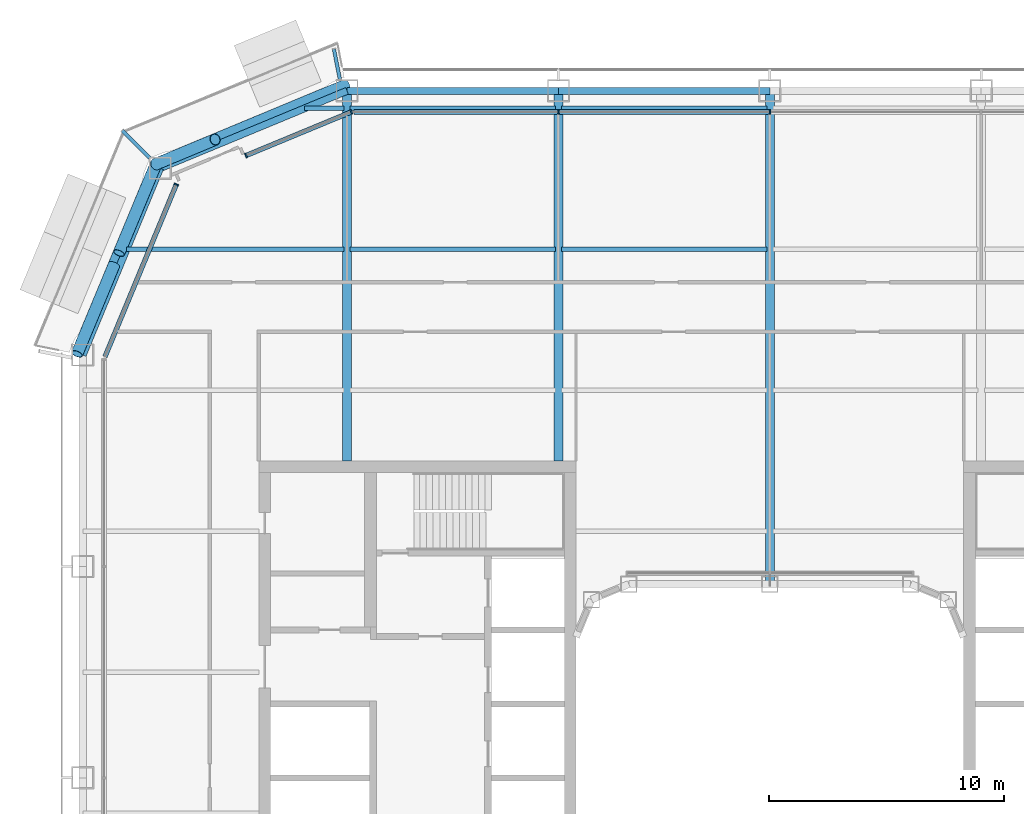
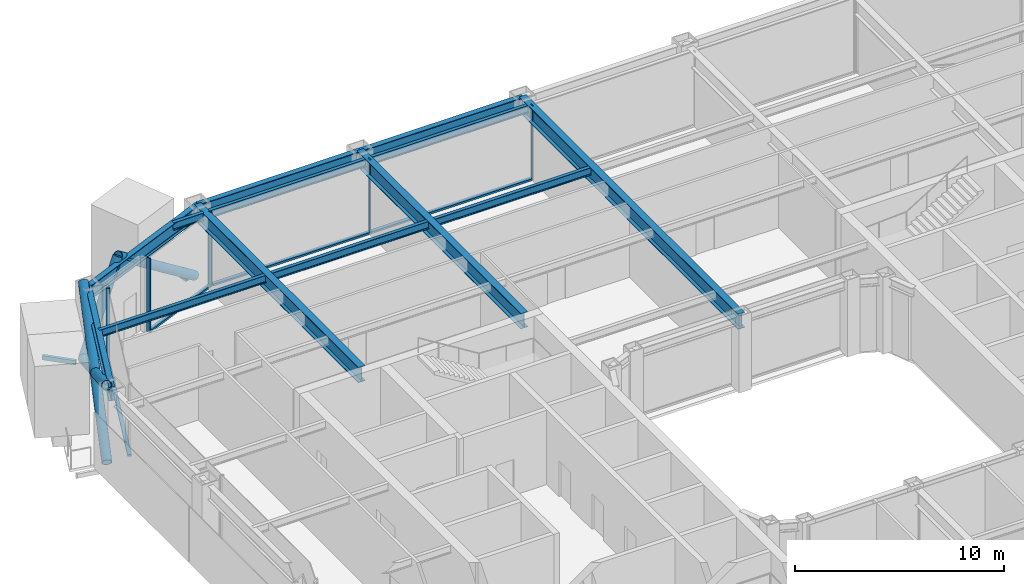
# One storey, part 7 of 23: 15 beams, 14 members, 3 elements without a shape of their own.
"""IFC4 building model written with IfcOpenShell, lengths in metres."""

from ifc_helpers import new_model, si_unit, direction, frame, origin, origin_2d, place, context, subcontext, project, spatial, rectangle, hollow_rectangle, hollow_circle, i_section, extrude, material, layer, layer_set, material_profile, profile_set, type_object, element, aggregate, save


model = new_model("IFC4")

# Units and contexts
model_context = context("Model", 3, precision=1e-05, world=origin(), true_north=direction((0.0, 1.0)))
body_context = subcontext(model_context, "Body", "Model", "MODEL_VIEW")
ifc_project = project(units=[si_unit("LENGTHUNIT", "METRE"), si_unit("AREAUNIT", "SQUARE_METRE"), si_unit("VOLUMEUNIT", "CUBIC_METRE"), si_unit("PLANEANGLEUNIT", "RADIAN"), si_unit("MASSUNIT", "GRAM", prefix="KILO")], contexts=[model_context])

# Site, building, storey
site_placement = place(None, origin())
site = spatial("IfcSite", under=ifc_project, at=site_placement, CompositionType="ELEMENT")
building_placement = place(site_placement, origin())
building = spatial("IfcBuilding", under=site, at=building_placement, Name="Siwar Civic Tower", CompositionType="ELEMENT")
storey_placement = place(building_placement, frame((0.0, 0.0, 136.199951171875)))
storey = spatial("IfcBuildingStorey", under=building, at=storey_placement, Name="L29", CompositionType="ELEMENT", Elevation=136.199951171875)

# Beams
ifc_material_1 = material(Name="Steel S355", Category="steel")
ifc_material_profile_1 = material_profile(ifc_material_1, hollow_rectangle(XDim=0.14990234375, YDim=0.25, WallThickness=0.010009765625, at=origin_2d()), Name="RHS250x150x10")
ifc_profile_set_1 = profile_set([ifc_material_profile_1], Name="Steel S355")
beam_type_1 = type_object("IfcBeamType", Name="ENV-BALCONY ARM", PredefinedType="BEAM", material=ifc_profile_set_1)
beam_1_placement = place(storey_placement, frame((-18.30029296875, 29.73486328125, -0.27490234375), z_axis=(-0.195189223115, 0.980765602568, 0.0), x_axis=(-0.980765602568, -0.195189223115, 0.0)))
element("IfcBeam", 1, at=beam_1_placement, inside=storey, type_object=beam_type_1, Name="Balcony cantilever beam NW 1", PredefinedType="BEAM", context=body_context, shape_type="SweptSolid", body=[
    extrude(hollow_rectangle(XDim=0.14990234375, YDim=0.25, WallThickness=0.010009765625, at=origin_2d()), origin(), (0.0, 0.0, 1.0), 1.317138671875),
])
beam_2_placement = place(storey_placement, frame((-26.39453125, 26.39453125, -0.27490234375), z_axis=(-0.707106781187, 0.707106781187, 0.0), x_axis=(-0.707106781187, -0.707106781187, 0.0)))
element("IfcBeam", 2, at=beam_2_placement, inside=storey, type_object=beam_type_1, Name="Balcony cantilever beam NW 2", PredefinedType="BEAM", context=body_context, shape_type="SweptSolid", body=[
    extrude(hollow_rectangle(XDim=0.14990234375, YDim=0.25, WallThickness=0.010009765625, at=origin_2d()), origin(), (0.0, 0.0, 1.0), 1.6513671875),
])

# Curtain wall, members
ifc_material_2 = material(Name="Aluminium and glass", Category="aluminium")
ifc_layer_1 = layer(ifc_material_2, 0.199951171875)
ifc_layer_set_1 = layer_set([ifc_layer_1], Name="Aluminium and glass")
curtain_wall_type_1 = type_object("IfcCurtainWallType", Name="ENV-CW-B", PredefinedType="NOTDEFINED", material=ifc_layer_set_1)
curtain_wall_1_placement = place(storey_placement, origin())
curtain_wall_1 = element("IfcCurtainWall", 3, at=curtain_wall_1_placement, inside=storey, type_object=curtain_wall_type_1, Name="Curtain wall B N", PredefinedType="NOTDEFINED")
ifc_material_3 = material(Name="Aluminium 6063-T6", Category="aluminium")
ifc_material_profile_2 = material_profile(ifc_material_3, rectangle(XDim=0.199951171875, YDim=0.06494140625, at=origin_2d()), Name="AL 200x65")
ifc_profile_set_2 = profile_set([ifc_material_profile_2], Name="Aluminium 6063-T6")
member_type_1 = type_object("IfcMemberType", Name="ENV-MULLION-B", PredefinedType="MULLION", material=ifc_profile_set_2)
member_1_placement = place(storey_placement, frame((0.0, 28.35009765625, 0.0), z_axis=(0.0, 0.0, 1.0), x_axis=(0.0, -1.0, 0.0)))
member_1 = element("IfcMember", 4, at=member_1_placement, type_object=member_type_1, Name="Mullion B N 3", PredefinedType="MULLION", context=body_context, shape_type="SweptSolid", body=[
    extrude(rectangle(XDim=0.199951171875, YDim=0.06494140625, at=origin_2d()), origin(), (0.0, 0.0, 1.0), 4.35009765625),
])
member_2_placement = place(storey_placement, frame((-9.0, 28.35009765625, 0.0), z_axis=(0.0, 0.0, 1.0), x_axis=(0.0, -1.0, 0.0)))
member_2 = element("IfcMember", 5, at=member_2_placement, type_object=member_type_1, Name="Mullion B N 4", PredefinedType="MULLION", context=body_context, shape_type="SweptSolid", body=[
    extrude(rectangle(XDim=0.199951171875, YDim=0.06494140625, at=origin_2d()), origin(), (0.0, 0.0, 1.0), 4.35009765625),
])

ifc_material_4 = material(Name="Aluminium clad insulated panel", Category="aluminium")
ifc_layer_2 = layer(ifc_material_4, 0.199951171875)
ifc_layer_set_2 = layer_set([ifc_layer_2], Name="Aluminium clad insulated panel")
curtain_wall_type_2 = type_object("IfcCurtainWallType", Name="ENV-CW-BX", PredefinedType="NOTDEFINED", material=ifc_layer_set_2)
curtain_wall_2_placement = place(storey_placement, origin())
curtain_wall_2 = element("IfcCurtainWall", 6, at=curtain_wall_2_placement, inside=storey, type_object=curtain_wall_type_2, Name="Curtain wall B NW1", PredefinedType="NOTDEFINED")
member_3_placement = place(storey_placement, frame((-17.821044921875, 28.35009765625, 0.0), z_axis=(0.0, 0.0, 1.0), x_axis=(0.382683432365, -0.923879532511, 0.0)))
member_3 = element("IfcMember", 7, at=member_3_placement, type_object=member_type_1, Name="Mullion B NW1 1", PredefinedType="MULLION", context=body_context, shape_type="SweptSolid", body=[
    extrude(rectangle(XDim=0.199951171875, YDim=0.06494140625, at=origin_2d()), origin(), (0.0, 0.0, 1.0), 4.35009765625),
])
member_4_placement = place(storey_placement, frame((-22.299072265625, 26.4951171875, 0.0), z_axis=(0.0, 0.0, 1.0), x_axis=(0.382683432365, -0.923879532511, 0.0)))
member_4 = element("IfcMember", 8, at=member_4_placement, type_object=member_type_1, Name="Mullion B NW1 2", PredefinedType="MULLION", context=body_context, shape_type="SweptSolid", body=[
    extrude(rectangle(XDim=0.199951171875, YDim=0.06494140625, at=origin_2d()), origin(), (0.0, 0.0, 1.0), 4.35009765625),
])

# Curtain wall, member
curtain_wall_3_placement = place(storey_placement, origin())
curtain_wall_3 = element("IfcCurtainWall", 9, at=curtain_wall_3_placement, inside=storey, type_object=curtain_wall_type_2, Name="Curtain wall B NW2", PredefinedType="NOTDEFINED")
member_5_placement = place(storey_placement, frame((-25.26611328125, 25.26611328125, 0.0), z_axis=(0.0, 0.0, 1.0), x_axis=(0.923879532511, -0.382683432365, 0.0)))
member_5 = element("IfcMember", 10, at=member_5_placement, type_object=member_type_1, Name="Mullion B NW2 1", PredefinedType="MULLION", context=body_context, shape_type="SweptSolid", body=[
    extrude(rectangle(XDim=0.199951171875, YDim=0.06494140625, at=origin_2d()), origin(), (0.0, 0.0, 1.0), 4.35009765625),
])

# Member
ifc_material_5 = material(Name="Aluminium 6063-T6", Category="aluminium")
ifc_material_profile_3 = material_profile(ifc_material_5, rectangle(XDim=0.199951171875, YDim=0.110107421875, at=origin_2d()), Name="AL 200x110")
ifc_profile_set_3 = profile_set([ifc_material_profile_3], Name="Aluminium 6063-T6")
member_type_2 = type_object("IfcMemberType", Name="ENV-TRANSOM-B", PredefinedType="USERDEFINED", material=ifc_profile_set_3)
member_6_placement = place(storey_placement, frame((-0.032470703125, 28.35009765625, 0.054931640625), z_axis=(-1.0, 0.0, 0.0), x_axis=(0.0, -1.0, 0.0)))
member_6 = element("IfcMember", 11, at=member_6_placement, type_object=member_type_2, Name="Transom B N 3", ObjectType="TRANSOM", PredefinedType="USERDEFINED", context=body_context, shape_type="SweptSolid", body=[
    extrude(rectangle(XDim=0.199951171875, YDim=0.110107421875, at=origin_2d()), origin(), (0.0, 0.0, 1.0), 8.93505859375),
])

member_7_placement = place(storey_placement, frame((-9.032470703125, 28.35009765625, 0.054931640625), z_axis=(-1.0, 0.0, 0.0), x_axis=(0.0, -1.0, 0.0)))
member_7 = element("IfcMember", 12, at=member_7_placement, type_object=member_type_2, Name="Transom B N 4", ObjectType="TRANSOM", PredefinedType="USERDEFINED", context=body_context, shape_type="SweptSolid", body=[
    extrude(rectangle(XDim=0.199951171875, YDim=0.110107421875, at=origin_2d()), origin(), (0.0, 0.0, 1.0), 8.6748046875),
])

aggregate(curtain_wall_1, [member_1, member_2, member_6, member_7])

member_8_placement = place(storey_placement, frame((-17.85107421875, 28.337646484375, 0.054931640625), z_axis=(-0.923872467912, -0.382700487371, 0.0), x_axis=(0.382700487371, -0.923872467912, 0.0)))
member_8 = element("IfcMember", 13, at=member_8_placement, type_object=member_type_2, Name="Transom B NW1 1", ObjectType="TRANSOM", PredefinedType="USERDEFINED", context=body_context, shape_type="SweptSolid", body=[
    extrude(rectangle(XDim=0.199951171875, YDim=0.110107421875, at=origin_2d()), origin(), (0.0, 0.0, 1.0), 4.781982421875),
])

aggregate(curtain_wall_2, [member_3, member_4, member_8])

member_9_placement = place(storey_placement, frame((-25.278564453125, 25.236083984375, 0.054931640625), z_axis=(-0.382673358825, -0.923883705044, 0.0), x_axis=(0.923883705044, -0.382673358825, 0.0)))
member_9 = element("IfcMember", 14, at=member_9_placement, type_object=member_type_2, Name="Transom B NW2 1", ObjectType="TRANSOM", PredefinedType="USERDEFINED", context=body_context, shape_type="SweptSolid", body=[
    extrude(rectangle(XDim=0.199951171875, YDim=0.110107421875, at=origin_2d()), origin(), (0.0, 0.0, 1.0), 7.912353515625),
])

aggregate(curtain_wall_3, [member_5, member_9])

# Members
ifc_material_6 = material(Name="Steel S355", Category="steel")
ifc_material_profile_4 = material_profile(ifc_material_6, hollow_circle(Radius=0.25390625, WallThickness=0.02490234375, at=origin_2d()), Name="CHS508x25")
ifc_profile_set_4 = profile_set([ifc_material_profile_4], Name="Steel S355")
member_type_3 = type_object("IfcMemberType", Name="STR-BR-CHS508x25", PredefinedType="BRACE", material=ifc_profile_set_4)
member_10_placement = place(storey_placement, frame((-29.4951171875, 18.048828125, 0.0), z_axis=(0.341671493852, 0.821142553604, 0.457149315816), x_axis=(-0.923264922524, 0.384163874976, 0.0)))
element("IfcMember", 15, at=member_10_placement, inside=storey, type_object=member_type_3, Name="L29/brc/BNW1-8-0-1", PredefinedType="BRACE", context=body_context, shape_type="SweptSolid", body=[
    extrude(hollow_circle(Radius=0.25390625, WallThickness=0.02490234375, at=origin_2d()), origin(), (0.0, 0.0, 1.0), 9.843505859375),
])
member_11_placement = place(storey_placement, frame((-26.1318359375, 26.1318359375, 0.0), z_axis=(-0.341662474736, -0.821143275065, 0.457154760636), x_axis=(0.923268638995, -0.384154943021, 0.0)))
element("IfcMember", 16, at=member_11_placement, inside=storey, type_object=member_type_3, Name="L29/brc/BNW1-8-0-2", PredefinedType="BRACE", context=body_context, shape_type="SweptSolid", body=[
    extrude(hollow_circle(Radius=0.25390625, WallThickness=0.02490234375, at=origin_2d()), origin(), (0.0, 0.0, 1.0), 4.61474609375),
])
member_12_placement = place(storey_placement, frame((-27.91845703125, 21.837890625, 2.390625), z_axis=(-0.34168558233, -0.821145902409, 0.457132770413), x_axis=(0.923259859753, -0.384176042158, 0.0)))
element("IfcMember", 17, at=member_12_placement, inside=storey, type_object=member_type_3, Name="L29/brc/BNW1-8-0-3", PredefinedType="BRACE", context=body_context, shape_type="SweptSolid", body=[
    extrude(hollow_circle(Radius=0.25390625, WallThickness=0.02490234375, at=origin_2d()), origin(), (0.0, 0.0, 1.0), 4.6142578125),
])
member_13_placement = place(storey_placement, frame((-18.048828125, 29.4951171875, 0.0), z_axis=(-0.739973158344, -0.307903068035, 0.598026275029), x_axis=(0.384169803352, -0.923262455747, 0.0)))
element("IfcMember", 18, at=member_13_placement, inside=storey, type_object=member_type_3, Name="L29/brc/BNW1-8-0-0", PredefinedType="BRACE", context=body_context, shape_type="SweptSolid", body=[
    extrude(hollow_circle(Radius=0.25390625, WallThickness=0.02490234375, at=origin_2d()), origin(), (0.0, 0.0, 1.0), 7.524658203125),
])
member_14_placement = place(storey_placement, frame((-26.1318359375, 26.1318359375, 0.0), z_axis=(0.478099094869, 0.198925611165, 0.855482236349), x_axis=(-0.384150749045, 0.92327038402, 0.0)))
element("IfcMember", 19, at=member_14_placement, inside=storey, type_object=member_type_3, Name="L29/brc/BNW1-8-0-6", PredefinedType="BRACE", context=body_context, shape_type="SweptSolid", body=[
    extrude(hollow_circle(Radius=0.25390625, WallThickness=0.02490234375, at=origin_2d()), origin(), (0.0, 0.0, 1.0), 5.26025390625),
])

# Beams
ifc_material_7 = material(Name="Steel S355", Category="steel")
ifc_material_profile_5 = material_profile(ifc_material_7, i_section(OverallWidth=0.18994140625, OverallDepth=0.449951171875, WebThickness=0.009521484375, FlangeThickness=0.0146484375, FilletRadius=0.02099609375, at=origin_2d()), Name="IPE450")
ifc_profile_set_5 = profile_set([ifc_material_profile_5], Name="Steel S355")
beam_type_2 = type_object("IfcBeamType", Name="STR-FB-IPE450", PredefinedType="JOIST", material=ifc_profile_set_5)
beam_3_placement = place(storey_placement, frame((-27.385986328125, 22.5, 4.125), z_axis=(1.0, 0.0, 0.0), x_axis=(0.0, 1.0, 0.0)))
element("IfcBeam", 20, at=beam_3_placement, inside=storey, type_object=beam_type_2, Name="L29/bm/F037", PredefinedType="JOIST", context=body_context, shape_type="SweptSolid", body=[
    extrude(i_section(OverallWidth=0.18994140625, OverallDepth=0.449951171875, WebThickness=0.009521484375, FlangeThickness=0.0146484375, FilletRadius=0.02099609375, at=origin_2d()), origin(), (0.0, 0.0, 1.0), 9.256103515625),
])
for number, where, z_axis, x_axis, name in (
    (21, (-17.8701171875, 22.5, 4.125), (1.0, 0.0, 0.0), (0.0, 1.0, 0.0), "L29/bm/F038"),
    (22, (-8.8701171875, 22.5, 4.125), (1.0, 0.0, 0.0), (0.0, 1.0, 0.0), "L29/bm/F039"),
):
    element("IfcBeam", number, at=place(storey_placement, frame(where, z_axis=z_axis, x_axis=x_axis)), inside=storey, type_object=beam_type_2, Name=name, PredefinedType="JOIST", context=body_context, shape_type="SweptSolid", body=[
        extrude(i_section(OverallWidth=0.18994140625, OverallDepth=0.449951171875, WebThickness=0.009521484375, FlangeThickness=0.0146484375, FilletRadius=0.02099609375, at=origin_2d()), origin(), (0.0, 0.0, 1.0), 8.740234375),
    ])
beam_4_placement = place(storey_placement, frame((-19.810546875, 28.5, 4.125), z_axis=(1.0, 0.0, 0.0), x_axis=(0.0, 1.0, 0.0)))
element("IfcBeam", 23, at=beam_4_placement, inside=storey, type_object=beam_type_2, Name="L29/bm/F043", PredefinedType="JOIST", context=body_context, shape_type="SweptSolid", body=[
    extrude(i_section(OverallWidth=0.18994140625, OverallDepth=0.449951171875, WebThickness=0.009521484375, FlangeThickness=0.0146484375, FilletRadius=0.02099609375, at=origin_2d()), origin(), (0.0, 0.0, 1.0), 1.6806640625),
])
for number, where, z_axis, x_axis, name in (
    (24, (-17.8701171875, 28.5, 4.125), (1.0, 0.0, 0.0), (0.0, 1.0, 0.0), "L29/bm/F044"),
    (25, (-8.8701171875, 28.5, 4.125), (1.0, 0.0, 0.0), (0.0, 1.0, 0.0), "L29/bm/F045"),
):
    element("IfcBeam", number, at=place(storey_placement, frame(where, z_axis=z_axis, x_axis=x_axis)), inside=storey, type_object=beam_type_2, Name=name, PredefinedType="JOIST", context=body_context, shape_type="SweptSolid", body=[
        extrude(i_section(OverallWidth=0.18994140625, OverallDepth=0.449951171875, WebThickness=0.009521484375, FlangeThickness=0.0146484375, FilletRadius=0.02099609375, at=origin_2d()), origin(), (0.0, 0.0, 1.0), 8.740234375),
    ])
ifc_material_8 = material(Name="Steel S355", Category="steel")
ifc_material_profile_6 = material_profile(ifc_material_8, i_section(OverallWidth=0.3798828125, OverallDepth=0.89990234375, WebThickness=0.01611328125, FlangeThickness=0.035888671875, at=origin_2d()), Name="PG900x380x16x36")
ifc_profile_set_6 = profile_set([ifc_material_profile_6], Name="Steel S355")
beam_type_3 = type_object("IfcBeamType", Name="STR-PG-PG900x380x16x36", PredefinedType="BEAM", material=ifc_profile_set_6)
for number, where, z_axis, x_axis, name in (
    (26, (-18.0, 13.5, 3.900146484375), (0.0, 1.0, 0.0), (-1.0, 0.0, 0.0), "L29/bm/G02"),
    (27, (-9.0, 13.5, 3.900146484375), (0.0, 1.0, 0.0), (-1.0, 0.0, 0.0), "L29/bm/G04"),
):
    element("IfcBeam", number, at=place(storey_placement, frame(where, z_axis=z_axis, x_axis=x_axis)), inside=storey, type_object=beam_type_3, Name=name, PredefinedType="BEAM", context=body_context, shape_type="SweptSolid", body=[
        extrude(i_section(OverallWidth=0.3798828125, OverallDepth=0.89990234375, WebThickness=0.01611328125, FlangeThickness=0.035888671875, at=origin_2d()), origin(), (0.0, 0.0, 1.0), 15.75),
    ])
beam_5_placement = place(storey_placement, frame((0.0, 8.25, 3.900146484375), z_axis=(0.0, 1.0, 0.0), x_axis=(-1.0, 0.0, 0.0)))
element("IfcBeam", 28, at=beam_5_placement, inside=storey, type_object=beam_type_3, Name="L29/bm/G06", PredefinedType="BEAM", context=body_context, shape_type="SweptSolid", body=[
    extrude(i_section(OverallWidth=0.3798828125, OverallDepth=0.89990234375, WebThickness=0.01611328125, FlangeThickness=0.035888671875, at=origin_2d()), origin(), (0.0, 0.0, 1.0), 21.0),
])
ifc_material_9 = material(Name="Steel S355", Category="steel")
ifc_material_profile_7 = material_profile(ifc_material_9, i_section(OverallWidth=0.300048828125, OverallDepth=0.800048828125, WebThickness=0.017578125, FlangeThickness=0.032958984375, FilletRadius=0.030029296875, at=origin_2d()), Name="HEB800")
ifc_profile_set_7 = profile_set([ifc_material_profile_7], Name="Steel S355")
beam_type_4 = type_object("IfcBeamType", Name="STR-SB-HEB800", PredefinedType="BEAM", material=ifc_profile_set_7)
for number, where, z_axis, x_axis, name in (
    (29, (0.0, 29.25, 3.949951171875), (-1.0, 0.0, 0.0), (0.0, -1.0, 0.0), "L29/bm/SN-2"),
    (30, (-9.0, 29.25, 3.949951171875), (-1.0, 0.0, 0.0), (0.0, -1.0, 0.0), "L29/bm/SN-3"),
):
    element("IfcBeam", number, at=place(storey_placement, frame(where, z_axis=z_axis, x_axis=x_axis)), inside=storey, type_object=beam_type_4, Name=name, PredefinedType="BEAM", context=body_context, shape_type="SweptSolid", body=[
        extrude(i_section(OverallWidth=0.300048828125, OverallDepth=0.800048828125, WebThickness=0.017578125, FlangeThickness=0.032958984375, FilletRadius=0.030029296875, at=origin_2d()), origin(), (0.0, 0.0, 1.0), 9.0),
    ])
for number, where, z_axis, x_axis, name in (
    (31, (-18.0, 29.25, 3.949951171875), (-0.923872720536, -0.382699877515, 0.0), (0.382699877515, -0.923872720536, 0.0), "L29/bm/SNW1-0"),
    (32, (-25.954833984375, 25.954833984375, 3.949951171875), (-0.382699877515, -0.923872720536, 0.0), (0.923872720536, -0.382699877515, 0.0), "L29/bm/SNW2-0"),
):
    element("IfcBeam", number, at=place(storey_placement, frame(where, z_axis=z_axis, x_axis=x_axis)), inside=storey, type_object=beam_type_4, Name=name, PredefinedType="BEAM", context=body_context, shape_type="SweptSolid", body=[
        extrude(i_section(OverallWidth=0.300048828125, OverallDepth=0.800048828125, WebThickness=0.017578125, FlangeThickness=0.032958984375, FilletRadius=0.030029296875, at=origin_2d()), origin(), (0.0, 0.0, 1.0), 8.6103515625),
    ])

save(model, "model.ifc")
